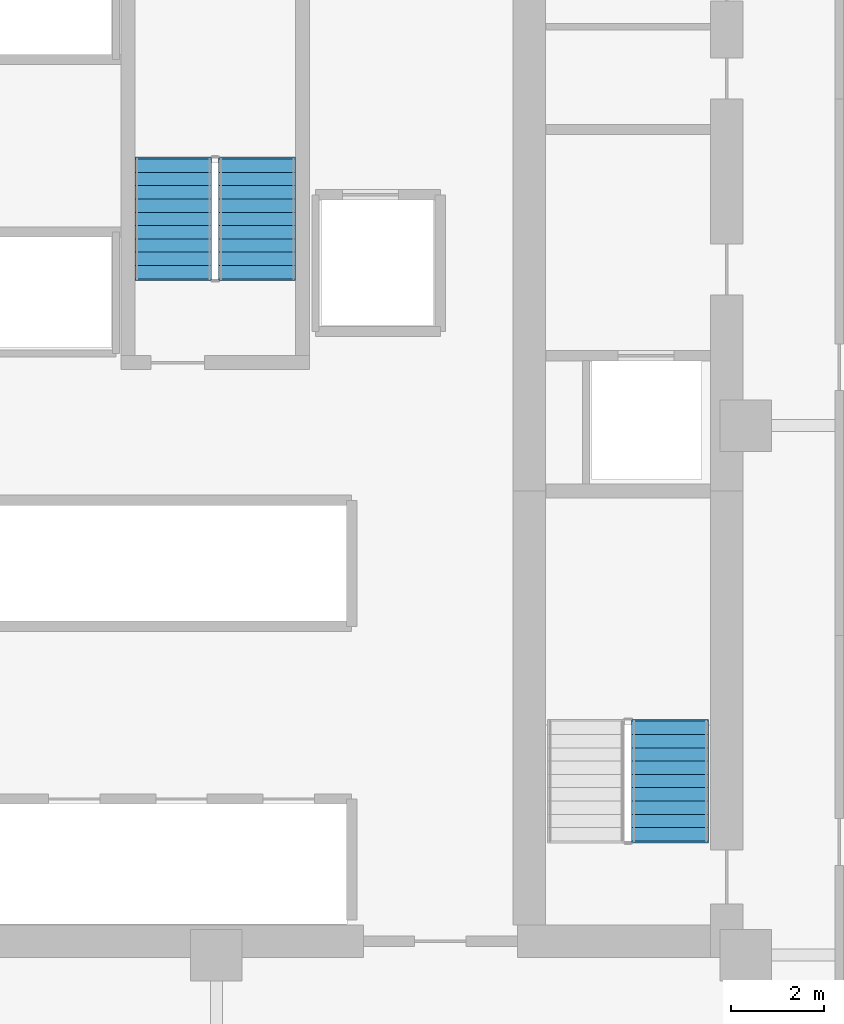
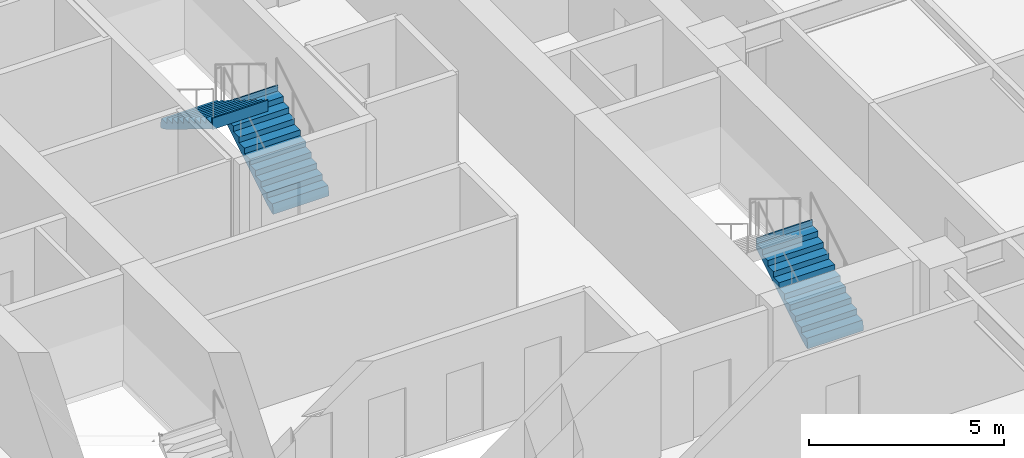
# One storey, part 6 of 7: 3 stair flights, 2 elements without a shape of their own.
"""IFC4 building model written with IfcOpenShell, lengths in metres."""

from ifc_helpers import new_model, si_unit, direction, frame, origin, place, context, subcontext, project, spatial, polyline, outline, extrude, material, type_object, element, aggregate, save


model = new_model("IFC4")

# Units and contexts
model_context = context("Model", 3, precision=1e-05, world=origin(), true_north=direction((0.0, 1.0)))
body_context = subcontext(model_context, "Body", "Model", "MODEL_VIEW")
ifc_project = project(units=[si_unit("LENGTHUNIT", "METRE"), si_unit("AREAUNIT", "SQUARE_METRE"), si_unit("VOLUMEUNIT", "CUBIC_METRE"), si_unit("PLANEANGLEUNIT", "RADIAN"), si_unit("MASSUNIT", "GRAM", prefix="KILO")], contexts=[model_context])

# Site, building, storey
site_placement = place(None, origin())
site = spatial("IfcSite", under=ifc_project, at=site_placement, CompositionType="ELEMENT")
building_placement = place(site_placement, origin())
building = spatial("IfcBuilding", under=site, at=building_placement, Name="Nhamokura Convention Tower", CompositionType="ELEMENT")
storey_placement = place(building_placement, frame((0.0, 0.0, 59.85009765625)))
storey = spatial("IfcBuildingStorey", under=building, at=storey_placement, Name="L13", CompositionType="ELEMENT", Elevation=59.85009765625)

# Stair, stair flight
ifc_material_1 = material(Name="Concrete C40/50", Category="concrete")
stair_type = type_object("IfcStairType", Name="TowerCoreStair_1650", PredefinedType="HALF_TURN_STAIR", material=ifc_material_1)
stair_1_placement = place(storey_placement, origin())
stair_1 = element("IfcStair", 1, at=stair_1_placement, inside=storey, type_object=stair_type, Name="L13 East Core Smokeproof Stair ST-02", PredefinedType="HALF_TURN_STAIR")
ifc_material_2 = material(Name="Concrete C40/50", Category="concrete")
stair_flight_type = type_object("IfcStairFlightType", Name="TowerCoreStair_1650_Flight", PredefinedType="STRAIGHT", material=ifc_material_2)
stair_flight_1_placement = place(storey_placement, frame((41.72509765625, 23.10009765625, 0.0), z_axis=(0.0, 0.0, 1.0), x_axis=(0.0, 1.0, 0.0)))
stair_flight_1 = element("IfcStairFlight", 2, at=stair_flight_1_placement, type_object=stair_flight_type, Name="ST-02 flight 1", NumberOfRisers=10, NumberOfTreads=9, PredefinedType="STRAIGHT", RiserHeight=0.175, TreadLength=0.285, context=body_context, shape_type="SweptSolid", body=[
    extrude(outline(polyline([(-0.0419921875, 0.0), (0.0, 0.175048828125), (0.284912109375, 0.175048828125), (0.284912109375, 0.35009765625), (0.570068359375, 0.35009765625), (0.570068359375, 0.52490234375), (0.85498046875, 0.52490234375), (0.85498046875, 0.699951171875), (1.139892578125, 0.699951171875), (1.139892578125, 0.875), (1.425048828125, 0.875), (1.425048828125, 1.050048828125), (1.7099609375, 1.050048828125), (1.7099609375, 1.22509765625), (1.9951171875, 1.22509765625), (1.9951171875, 1.39990234375), (2.280029296875, 1.39990234375), (2.280029296875, 1.574951171875), (2.56494140625, 1.574951171875), (2.56494140625, 1.75), (2.60693359375, 1.75), (2.60693359375, 1.399169921875), (2.56494140625, 1.399169921875), (0.286376953125, 0.0), (0.02001953125, -0.1298828125), (-0.0419921875, -0.1298828125), (-0.0419921875, 0.0)])), frame((0.0, 0.824951171875, 0.0), z_axis=(0.0, -1.0, 0.0), x_axis=(1.0, 0.0, 0.0)), (0.0, 0.0, 1.0), 1.64990234375),
])
aggregate(stair_1, [stair_flight_1])

# Stair, stair flights
stair_2_placement = place(storey_placement, origin())
stair_2 = element("IfcStair", 3, at=stair_2_placement, inside=storey, type_object=stair_type, Name="L13 North Core Smokeproof Stair ST-03", PredefinedType="HALF_TURN_STAIR")
stair_flight_2_placement = place(storey_placement, frame((32.875, 35.14990234375, 0.0), z_axis=(0.0, 0.0, 1.0), x_axis=(0.0, 1.0, 0.0)))
stair_flight_2 = element("IfcStairFlight", 4, at=stair_flight_2_placement, type_object=stair_flight_type, Name="ST-03 flight 1", NumberOfRisers=10, NumberOfTreads=9, PredefinedType="STRAIGHT", RiserHeight=0.175, TreadLength=0.285, context=body_context, shape_type="SweptSolid", body=[
    extrude(outline(polyline([(-0.0419921875, 0.0), (0.0, 0.175048828125), (0.284912109375, 0.175048828125), (0.284912109375, 0.35009765625), (0.570068359375, 0.35009765625), (0.570068359375, 0.52490234375), (0.85498046875, 0.52490234375), (0.85498046875, 0.699951171875), (1.139892578125, 0.699951171875), (1.139892578125, 0.875), (1.425048828125, 0.875), (1.425048828125, 1.050048828125), (1.7099609375, 1.050048828125), (1.7099609375, 1.22509765625), (1.9951171875, 1.22509765625), (1.9951171875, 1.39990234375), (2.280029296875, 1.39990234375), (2.280029296875, 1.574951171875), (2.56494140625, 1.574951171875), (2.56494140625, 1.75), (2.60693359375, 1.75), (2.60693359375, 1.399169921875), (2.56494140625, 1.399169921875), (0.286376953125, 0.0), (0.02001953125, -0.1298828125), (-0.0419921875, -0.1298828125), (-0.0419921875, 0.0)])), frame((0.0, 0.824951171875, 0.0), z_axis=(0.0, -1.0, 0.0), x_axis=(1.0, 0.0, 0.0)), (0.0, 0.0, 1.0), 1.64990234375),
])
stair_flight_3_placement = place(storey_placement, frame((31.074951171875, 37.715087890625, 1.75), z_axis=(0.0, 0.0, 1.0), x_axis=(0.0, -1.0, 0.0)))
stair_flight_3 = element("IfcStairFlight", 5, at=stair_flight_3_placement, type_object=stair_flight_type, Name="ST-03 flight 2", NumberOfRisers=10, NumberOfTreads=9, PredefinedType="STRAIGHT", RiserHeight=0.175, TreadLength=0.285, context=body_context, shape_type="SweptSolid", body=[
    extrude(outline(polyline([(-0.0419921875, 0.0), (0.0, 0.175048828125), (0.284912109375, 0.175048828125), (0.284912109375, 0.35009765625), (0.570068359375, 0.35009765625), (0.570068359375, 0.52490234375), (0.85498046875, 0.52490234375), (0.85498046875, 0.699951171875), (1.139892578125, 0.699951171875), (1.139892578125, 0.875), (1.425048828125, 0.875), (1.425048828125, 1.050048828125), (1.7099609375, 1.050048828125), (1.7099609375, 1.22509765625), (1.9951171875, 1.22509765625), (1.9951171875, 1.39990234375), (2.280029296875, 1.39990234375), (2.280029296875, 1.574951171875), (2.56494140625, 1.574951171875), (2.56494140625, 1.75), (2.60693359375, 1.75), (2.60693359375, 1.399169921875), (2.56494140625, 1.399169921875), (0.286376953125, 0.0), (0.02001953125, -0.1298828125), (-0.0419921875, -0.1298828125), (-0.0419921875, 0.0)])), frame((0.0, 0.824951171875, 0.0), z_axis=(0.0, -1.0, 0.0), x_axis=(1.0, 0.0, 0.0)), (0.0, 0.0, 1.0), 1.64990234375),
])
aggregate(stair_2, [stair_flight_2, stair_flight_3])

save(model, "model.ifc")
